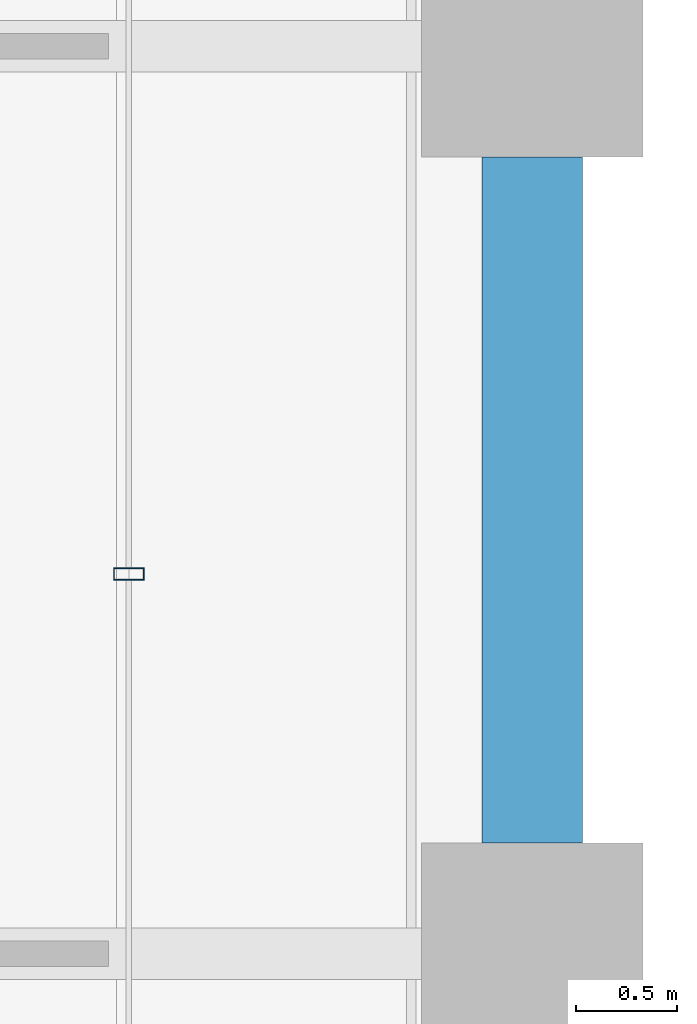
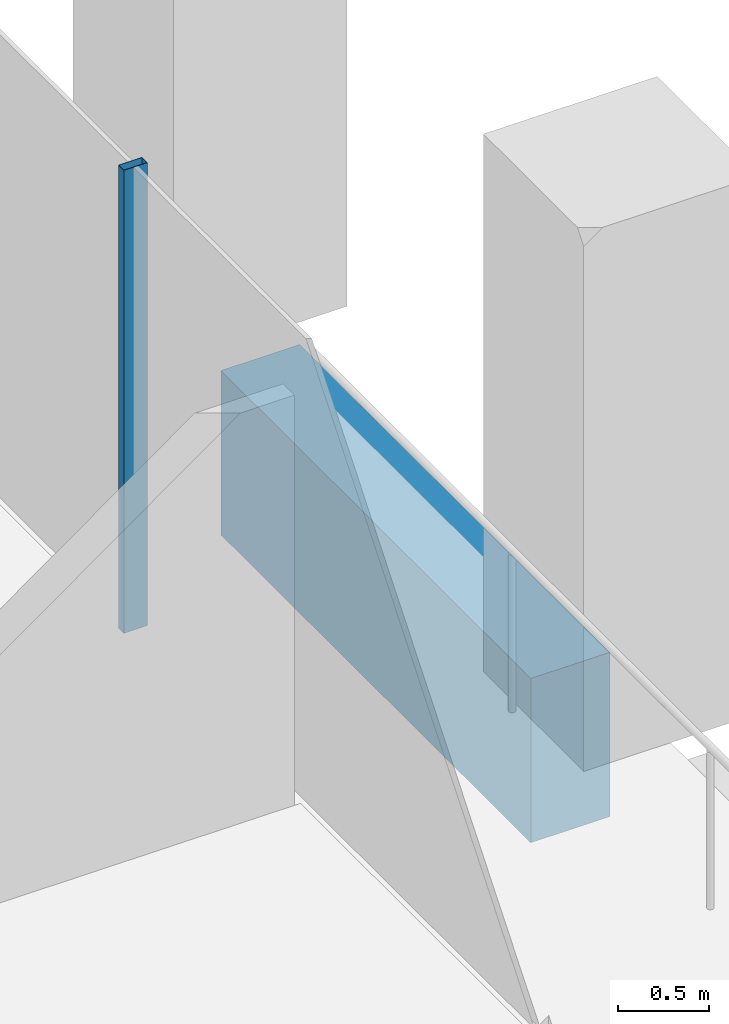
# One storey, part 20 of 56: 1 beam, 1 member, 1 element without a shape of its own.
"""IFC4 building model written with IfcOpenShell, lengths in metres."""

from ifc_helpers import new_model, si_unit, direction, frame, origin, origin_2d, place, context, subcontext, project, spatial, rectangle, hollow_rectangle, extrude, material, material_profile, profile_set, type_object, element, aggregate, save


model = new_model("IFC4")

# Units and contexts
model_context = context("Model", 3, precision=1e-05, world=origin(), true_north=direction((0.0, 1.0)))
body_context = subcontext(model_context, "Body", "Model", "MODEL_VIEW")
ifc_project = project(units=[si_unit("LENGTHUNIT", "METRE"), si_unit("AREAUNIT", "SQUARE_METRE"), si_unit("VOLUMEUNIT", "CUBIC_METRE"), si_unit("PLANEANGLEUNIT", "RADIAN"), si_unit("MASSUNIT", "GRAM", prefix="KILO")], contexts=[model_context])

# Site, building, storey
site_placement = place(None, origin())
site = spatial("IfcSite", under=ifc_project, at=site_placement, CompositionType="ELEMENT")
building_placement = place(site_placement, origin())
building = spatial("IfcBuilding", under=site, at=building_placement, Name="Altepetl Exchange Towers", CompositionType="ELEMENT")
storey_placement = place(building_placement, frame((0.0, 0.0, 72.60009765625)))
storey = spatial("IfcBuildingStorey", under=building, at=storey_placement, Name="L17", CompositionType="ELEMENT", Elevation=72.60009765625)

# Curtain wall, member
ifc_material_1 = material(Name="Aluminium 6063-T6 glazing", Category="aluminium")
curtain_wall_type = type_object("IfcCurtainWallType", Name="Loggia glazing system", PredefinedType="NOTDEFINED", material=ifc_material_1)
curtain_wall_placement = place(storey_placement, origin())
curtain_wall = element("IfcCurtainWall", 1, at=curtain_wall_placement, inside=storey, type_object=curtain_wall_type, Name="CW1 run", PredefinedType="NOTDEFINED")
ifc_material_2 = material(Name="Aluminium 6063-T6", Category="aluminium")
ifc_material_profile_1 = material_profile(ifc_material_2, hollow_rectangle(XDim=0.06005859375, YDim=0.14990234375, WallThickness=0.0029296875, at=origin_2d()), Name="Mullion 60x150 aluminium")
ifc_profile_set_1 = profile_set([ifc_material_profile_1], Name="Aluminium 6063-T6")
member_type = type_object("IfcMemberType", Name="Mullion 60x150 aluminium", PredefinedType="MULLION", material=ifc_profile_set_1)
member_placement = place(storey_placement, frame((70.0, 46.883056640625, 0.0), z_axis=(0.0, 0.0, 1.0), x_axis=(0.0, 1.0, 0.0)))
member = element("IfcMember", 2, at=member_placement, type_object=member_type, Name="MU1 mullion", PredefinedType="MULLION", context=body_context, shape_type="SweptSolid", body=[
    extrude(hollow_rectangle(XDim=0.06005859375, YDim=0.14990234375, WallThickness=0.0029296875, at=origin_2d()), origin(), (0.0, 0.0, 1.0), 3.099853515625),
])
aggregate(curtain_wall, [member])

# Beam
ifc_material_3 = material(Name="Concrete C50/60 precast with cantera amarilla facing", Category="concrete")
ifc_material_profile_2 = material_profile(ifc_material_3, rectangle(XDim=0.5, YDim=1.10009765625, at=origin_2d()), Name="500 x 1100")
ifc_profile_set_2 = profile_set([ifc_material_profile_2], Name="Concrete C50/60 precast with cantera amarilla facing")
beam_type = type_object("IfcBeamType", Name="Spandrel beam 500x1100 cantera amarilla", PredefinedType="SPANDREL", material=ifc_profile_set_2)
beam_placement = place(storey_placement, frame((72.0, 45.550048828125, -0.7001953125), z_axis=(0.0, 1.0, 0.0), x_axis=(-1.0, 0.0, 0.0)))
element("IfcBeam", 3, at=beam_placement, inside=storey, type_object=beam_type, Name="sp:A:L17:015", PredefinedType="SPANDREL", context=body_context, shape_type="SweptSolid", body=[
    extrude(rectangle(XDim=0.5, YDim=1.10009765625, at=origin_2d()), origin(), (0.0, 0.0, 1.0), 3.39990234375),
])

save(model, "model.ifc")
